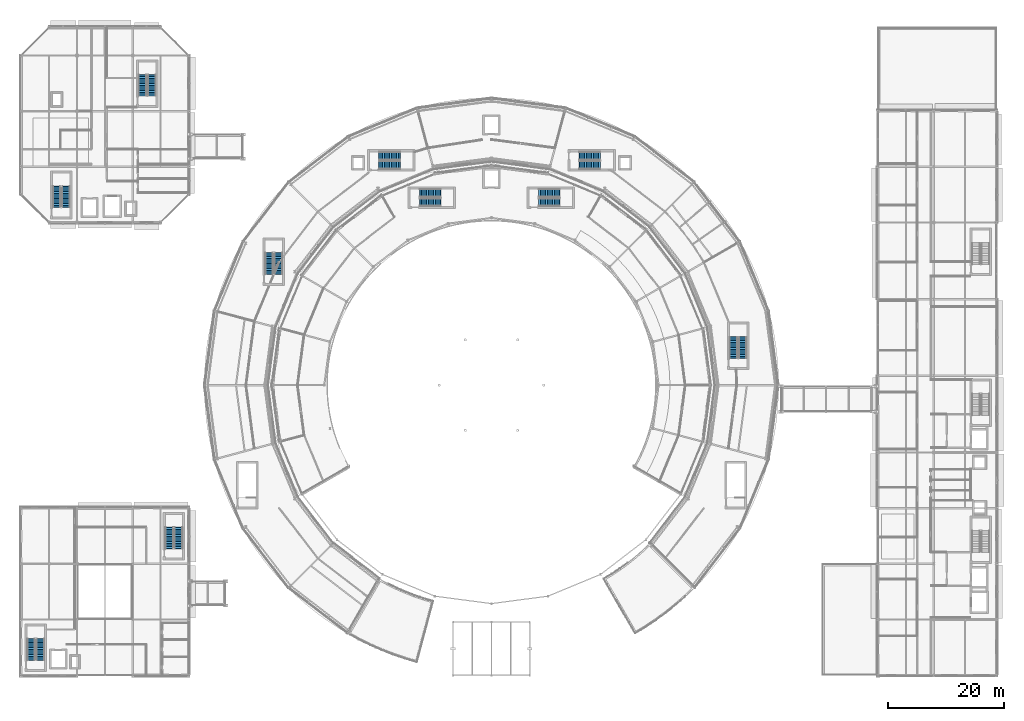
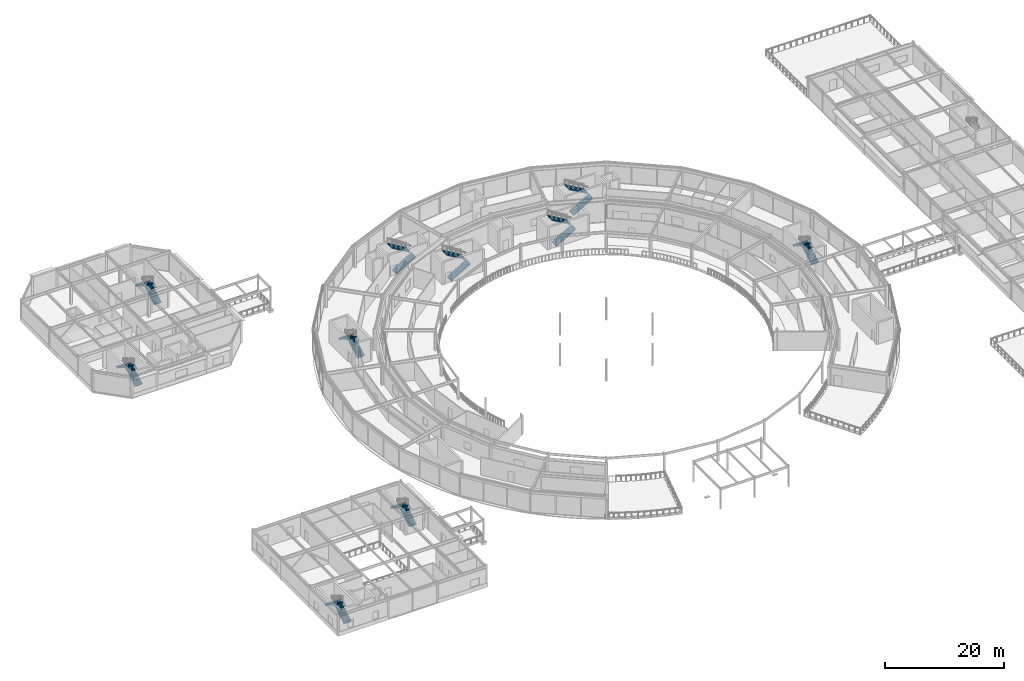
# One storey, part 128 of 157: 20 stair flights, 10 elements without a shape of their own.
"""IFC4 building model written with IfcOpenShell, lengths in metres."""

import ifcopenshell
import ifcopenshell.guid

model = None  # the IFC model being written
_history = None  # IfcOwnerHistory: only IFC2X3 demands one
_inside = {}  # id of a spatial element -> (the spatial element, [elements in it])
_under = {}  # id of a project, library or spatial element -> (it, [spatial elements below it])
_declared = {}  # id of a project -> (the project, [libraries it declares])
_typed = {}  # id of a type object -> (the type object, [elements of that type])
_made_of = {}  # id of a material, layer set ... -> (it, [elements and type objects made of it])


def new_model(schema):
    """Start an empty IFC model of exactly this schema.

    Asked for "IFC4X3", IfcOpenShell would pick the latest addendum, in which some entities
    have other attributes; the version numbers below select the first issue.
    IFC2X3 requires an IfcOwnerHistory on every rooted entity: one is made here for all.
    """
    global model, _history
    if schema == "IFC4X3":
        model = ifcopenshell.file(schema_version=(4, 3, 0, 0))
    else:
        model = ifcopenshell.file(schema=schema)
    _inside.clear()
    _under.clear()
    _declared.clear()
    _typed.clear()
    _made_of.clear()
    _history = None
    if model.schema == "IFC2X3":
        org = make("IfcOrganization", Name="unknown")
        user = make(
            "IfcPersonAndOrganization",
            ThePerson=make("IfcPerson", FamilyName="unknown"),
            TheOrganization=org,
        )
        app = make(
            "IfcApplication",
            ApplicationDeveloper=org,
            Version="unknown",
            ApplicationFullName="unknown",
            ApplicationIdentifier="unknown",
        )
        _history = make(
            "IfcOwnerHistory",
            OwningUser=user,
            OwningApplication=app,
            ChangeAction="ADDED",
            CreationDate=0,
        )
    return model


def make(cls, **values):
    """One entity of the class cls with the attributes given. An attribute that is None is left unset."""
    return model.create_entity(
        cls, **{name: value for name, value in values.items() if value is not None}
    )


def rooted(cls, **values):
    """An entity with a GlobalId (a new one), such as an element, a storey or a relation."""
    return make(cls, GlobalId=ifcopenshell.guid.new(), OwnerHistory=_history, **values)


def si_unit(unit_type, name, prefix=None):
    """IfcSIUnit, for example si_unit("LENGTHUNIT", "METRE", prefix="MILLI")."""
    return make("IfcSIUnit", UnitType=unit_type, Prefix=prefix, Name=name)


def assignment(units):
    """IfcUnitAssignment: the units of a project."""
    return None if units is None else make("IfcUnitAssignment", Units=units)


def point(xyz):
    """IfcCartesianPoint."""
    return None if xyz is None else make("IfcCartesianPoint", Coordinates=xyz)


def direction(xyz):
    """IfcDirection."""
    return None if xyz is None else make("IfcDirection", DirectionRatios=xyz)


def frame(location, z_axis=None, x_axis=None):
    """IfcAxis2Placement3D, a coordinate frame: its origin and axes. An axis left out is left unset."""
    return make(
        "IfcAxis2Placement3D",
        Location=point(location),
        Axis=direction(z_axis),
        RefDirection=direction(x_axis),
    )


def origin():
    """The frame at (0, 0, 0) with its axes left unset."""
    return frame((0.0, 0.0, 0.0))


def place(relative_to, where):
    """IfcLocalPlacement: puts the frame where relative to a parent placement (None: the world)."""
    return make(
        "IfcLocalPlacement", PlacementRelTo=relative_to, RelativePlacement=where
    )


def context(
    kind, dimensions, precision=None, world=None, true_north=None, identifier=None
):
    """IfcGeometricRepresentationContext, for example the 3D "Model" context."""
    return make(
        "IfcGeometricRepresentationContext",
        ContextIdentifier=identifier,
        ContextType=kind,
        CoordinateSpaceDimension=dimensions,
        Precision=precision,
        WorldCoordinateSystem=world,
        TrueNorth=true_north,
    )


def subcontext(parent, identifier, kind, view, scale=None):
    """IfcGeometricRepresentationSubContext, for example "Body" below "Model"."""
    return make(
        "IfcGeometricRepresentationSubContext",
        ContextIdentifier=identifier,
        ContextType=kind,
        ParentContext=parent,
        TargetScale=scale,
        TargetView=view,
    )


def project(units=None, contexts=None):
    """IfcProject with its units and contexts."""
    return rooted(
        "IfcProject",
        Name="project",
        RepresentationContexts=contexts,
        UnitsInContext=assignment(units),
    )


def spatial(cls, under=None, at=None, **own):
    """A site, building, storey or space (cls), placed at a placement, below another one or the project."""
    s = rooted(cls, ObjectPlacement=at, **own)
    if under is not None:
        _under.setdefault(under.id(), (under, []))[1].append(s)
    return s


def polyline(points):
    """IfcPolyline through the points."""
    return make("IfcPolyline", Points=[point(p) for p in points])


def outline(outer, holes=None, kind="AREA"):
    """IfcArbitraryClosedProfileDef: a profile drawn as a closed curve; with holes, ...WithVoids."""
    if holes is None:
        return make("IfcArbitraryClosedProfileDef", ProfileType=kind, OuterCurve=outer)
    return make(
        "IfcArbitraryProfileDefWithVoids",
        ProfileType=kind,
        OuterCurve=outer,
        InnerCurves=holes,
    )


def extrude(swept, where, along, depth):
    """IfcExtrudedAreaSolid: the profile swept, set in the frame where, extruded along a direction by depth."""
    return make(
        "IfcExtrudedAreaSolid",
        SweptArea=swept,
        Position=where,
        ExtrudedDirection=direction(along),
        Depth=depth,
    )


def shape(context_of_items, identifier, shape_type, items):
    """IfcShapeRepresentation: the items that make up one representation, for example the "Body"."""
    return make(
        "IfcShapeRepresentation",
        ContextOfItems=context_of_items,
        RepresentationIdentifier=identifier,
        RepresentationType=shape_type,
        Items=items,
    )


def material(Name=None, Category=None):
    """IfcMaterial."""
    return make("IfcMaterial", Name=Name, Category=Category)


def made_of(thing, what):
    """Note that an element or type object is made of a material, layer set ...; save() writes the relation."""
    if what is not None:
        _made_of.setdefault(what.id(), (what, []))[1].append(thing)
    return thing


def type_object(cls, material=None, **own):
    """A type object (cls), such as IfcWallType, which elements share."""
    return made_of(rooted(cls, **own), material)


def element(
    cls,
    number,
    at=None,
    inside=None,
    cuts=None,
    type_object=None,
    material=None,
    context=None,
    identifier="Body",
    shape_type=None,
    held_by="IfcProductDefinitionShape",
    body=None,
    shapes=None,
    **own,
):
    """One element of the class cls, such as IfcWall. Its Tag is "e" and its number.

    at: its placement. inside: the storey or other place that contains it. cuts: it is an
    opening in that element (IfcRelVoidsElement). A single representation is given by context,
    identifier, shape_type and body (its items); several are given by shapes. held_by: the class
    of the entity that holds the representations. save() writes the other relations.
    """
    e = rooted(cls, Tag="e%d" % number, ObjectPlacement=at, **own)
    if body is not None:
        shapes = [shape(context, identifier, shape_type, body)]
    if shapes is not None:
        e.Representation = make(held_by, Representations=shapes)
    if inside is not None:
        _inside.setdefault(inside.id(), (inside, []))[1].append(e)
    if cuts is not None:
        rooted(
            "IfcRelVoidsElement", RelatingBuildingElement=cuts, RelatedOpeningElement=e
        )
    if type_object is not None:
        _typed.setdefault(type_object.id(), (type_object, []))[1].append(e)
    return made_of(e, material)


def aggregate(whole, parts):
    """IfcRelAggregates: a whole, such as a stair, and the parts it consists of."""
    return rooted("IfcRelAggregates", RelatingObject=whole, RelatedObjects=parts)


def save(model, path):
    """Write the relations noted so far, then the file.

    IfcRelAggregates (storeys below a building ...), IfcRelContainedInSpatialStructure (elements
    in a storey), IfcRelDefinesByType, IfcRelAssociatesMaterial and IfcRelDeclares: one each for
    every whole, place, type object, material and project.
    """
    for whole, parts in _under.values():
        aggregate(whole, parts)
    for where, things in _inside.values():
        rooted(
            "IfcRelContainedInSpatialStructure",
            RelatedElements=things,
            RelatingStructure=where,
        )
    for kind, things in _typed.values():
        rooted("IfcRelDefinesByType", RelatedObjects=things, RelatingType=kind)
    for what, things in _made_of.values():
        rooted("IfcRelAssociatesMaterial", RelatedObjects=things, RelatingMaterial=what)
    for by, libraries in _declared.values():
        rooted("IfcRelDeclares", RelatingContext=by, RelatedDefinitions=libraries)
    model.write(path)


model = new_model("IFC4")

# Units and contexts
model_context = context("Model", 3, precision=1e-05, world=origin(), true_north=direction((0.0, 1.0)))
body_context = subcontext(model_context, "Body", "Model", "MODEL_VIEW")
ifc_project = project(units=[si_unit("LENGTHUNIT", "METRE"), si_unit("AREAUNIT", "SQUARE_METRE"), si_unit("VOLUMEUNIT", "CUBIC_METRE"), si_unit("PLANEANGLEUNIT", "RADIAN"), si_unit("MASSUNIT", "GRAM", prefix="KILO")], contexts=[model_context])

# Site, building, storey
site_placement = place(None, origin())
site = spatial("IfcSite", under=ifc_project, at=site_placement, CompositionType="ELEMENT")
building_placement = place(site_placement, origin())
building = spatial("IfcBuilding", under=site, at=building_placement, Name="Almandine Court Research Institute", CompositionType="ELEMENT")
storey_placement = place(building_placement, frame((0.0, 0.0, 5.25)))
storey = spatial("IfcBuildingStorey", under=building, at=storey_placement, Name="L01", CompositionType="ELEMENT", Elevation=5.25)

# Stair, stair flights
ifc_material = material(Name="Concrete C35/45", Category="concrete")
stair_type = type_object("IfcStairType", Name="Stair-Core-26R", PredefinedType="HALF_TURN_STAIR", material=ifc_material)
stair_1_placement = place(storey_placement, origin())
stair_1 = element("IfcStair", 1, at=stair_1_placement, inside=storey, type_object=stair_type, Name="L01 Volume 1 Southwest Exit Stair", PredefinedType="HALF_TURN_STAIR")
stair_flight_type = type_object("IfcStairFlightType", Name="Flight-Core-26R", PredefinedType="STRAIGHT", material=ifc_material)
stair_flight_1_placement = place(storey_placement, frame((9.2900390625, 8.64990234375, 0.0), z_axis=(0.0, 0.0, 1.0), x_axis=(0.0, 1.0, 0.0)))
stair_flight_1 = element("IfcStairFlight", 2, at=stair_flight_1_placement, type_object=stair_flight_type, Name="ST-01 flight 1", NumberOfRisers=13, NumberOfTreads=12, PredefinedType="STRAIGHT", RiserHeight=0.175, TreadLength=0.3, context=body_context, shape_type="SweptSolid", body=[
    extrude(outline(polyline([(-0.080078125, -0.139892578125), (-0.080078125, 0.0), (0.0, 0.0), (0.0, 0.175048828125), (0.300048828125, 0.175048828125), (0.300048828125, 0.35009765625), (0.60009765625, 0.35009765625), (0.60009765625, 0.52490234375), (0.89990234375, 0.52490234375), (0.89990234375, 0.699951171875), (1.199951171875, 0.699951171875), (1.199951171875, 0.875), (1.5, 0.875), (1.5, 1.050048828125), (1.800048828125, 1.050048828125), (1.800048828125, 1.22509765625), (2.10009765625, 1.22509765625), (2.10009765625, 1.39990234375), (2.39990234375, 1.39990234375), (2.39990234375, 1.574951171875), (2.699951171875, 1.574951171875), (2.699951171875, 1.75), (3.0, 1.75), (3.0, 1.925048828125), (3.300048828125, 1.925048828125), (3.300048828125, 2.10009765625), (3.60009765625, 2.10009765625), (3.60009765625, 2.27490234375), (3.679931640625, 2.27490234375), (3.679931640625, 2.114990234375), (3.60009765625, 1.914794921875), (0.3173828125, 0.0), (0.3173828125, -0.139892578125), (-0.080078125, -0.139892578125)])), frame((0.0, 0.7099609375, 0.0), z_axis=(0.0, -1.0, 0.0), x_axis=(1.0, 0.0, 0.0)), (0.0, 0.0, 1.0), 1.419921875),
])
stair_flight_2_placement = place(storey_placement, frame((7.7099609375, 12.25, 2.27490234375), z_axis=(0.0, 0.0, 1.0), x_axis=(0.0, -1.0, 0.0)))
stair_flight_2 = element("IfcStairFlight", 3, at=stair_flight_2_placement, type_object=stair_flight_type, Name="ST-01 flight 2", NumberOfRisers=13, NumberOfTreads=12, PredefinedType="STRAIGHT", RiserHeight=0.175, TreadLength=0.3, context=body_context, shape_type="SweptSolid", body=[
    extrude(outline(polyline([(-0.080078125, -0.139892578125), (-0.080078125, 0.0), (0.0, 0.0), (0.0, 0.175048828125), (0.300048828125, 0.175048828125), (0.300048828125, 0.35009765625), (0.60009765625, 0.35009765625), (0.60009765625, 0.52490234375), (0.89990234375, 0.52490234375), (0.89990234375, 0.699951171875), (1.199951171875, 0.699951171875), (1.199951171875, 0.875), (1.5, 0.875), (1.5, 1.050048828125), (1.800048828125, 1.050048828125), (1.800048828125, 1.22509765625), (2.10009765625, 1.22509765625), (2.10009765625, 1.39990234375), (2.39990234375, 1.39990234375), (2.39990234375, 1.574951171875), (2.699951171875, 1.574951171875), (2.699951171875, 1.75), (3.0, 1.75), (3.0, 1.925048828125), (3.300048828125, 1.925048828125), (3.300048828125, 2.10009765625), (3.60009765625, 2.10009765625), (3.60009765625, 2.27490234375), (3.679931640625, 2.27490234375), (3.679931640625, 2.114990234375), (3.60009765625, 1.914794921875), (0.3173828125, 0.0), (0.3173828125, -0.139892578125), (-0.080078125, -0.139892578125)])), frame((0.0, 0.7099609375, 0.0), z_axis=(0.0, -1.0, 0.0), x_axis=(1.0, 0.0, 0.0)), (0.0, 0.0, 1.0), 1.419921875),
])
aggregate(stair_1, [stair_flight_1, stair_flight_2])

stair_2_placement = place(storey_placement, origin())
stair_2 = element("IfcStair", 4, at=stair_2_placement, inside=storey, type_object=stair_type, Name="L01 Volume 1 Northeast Exit Stair", PredefinedType="HALF_TURN_STAIR")
stair_flight_3_placement = place(storey_placement, frame((33.090087890625, 27.85009765625, 0.0), z_axis=(0.0, 0.0, 1.0), x_axis=(0.0, 1.0, 0.0)))
stair_flight_3 = element("IfcStairFlight", 5, at=stair_flight_3_placement, type_object=stair_flight_type, Name="ST-02 flight 1", NumberOfRisers=13, NumberOfTreads=12, PredefinedType="STRAIGHT", RiserHeight=0.175, TreadLength=0.3, context=body_context, shape_type="SweptSolid", body=[
    extrude(outline(polyline([(-0.080078125, -0.139892578125), (-0.080078125, 0.0), (0.0, 0.0), (0.0, 0.175048828125), (0.300048828125, 0.175048828125), (0.300048828125, 0.35009765625), (0.60009765625, 0.35009765625), (0.60009765625, 0.52490234375), (0.89990234375, 0.52490234375), (0.89990234375, 0.699951171875), (1.199951171875, 0.699951171875), (1.199951171875, 0.875), (1.5, 0.875), (1.5, 1.050048828125), (1.800048828125, 1.050048828125), (1.800048828125, 1.22509765625), (2.10009765625, 1.22509765625), (2.10009765625, 1.39990234375), (2.39990234375, 1.39990234375), (2.39990234375, 1.574951171875), (2.699951171875, 1.574951171875), (2.699951171875, 1.75), (3.0, 1.75), (3.0, 1.925048828125), (3.300048828125, 1.925048828125), (3.300048828125, 2.10009765625), (3.60009765625, 2.10009765625), (3.60009765625, 2.27490234375), (3.679931640625, 2.27490234375), (3.679931640625, 2.114990234375), (3.60009765625, 1.914794921875), (0.3173828125, 0.0), (0.3173828125, -0.139892578125), (-0.080078125, -0.139892578125)])), frame((0.0, 0.7099609375, 0.0), z_axis=(0.0, -1.0, 0.0), x_axis=(1.0, 0.0, 0.0)), (0.0, 0.0, 1.0), 1.419921875),
])
stair_flight_4_placement = place(storey_placement, frame((31.510009765625, 31.449951171875, 2.27490234375), z_axis=(0.0, 0.0, 1.0), x_axis=(0.0, -1.0, 0.0)))
stair_flight_4 = element("IfcStairFlight", 6, at=stair_flight_4_placement, type_object=stair_flight_type, Name="ST-02 flight 2", NumberOfRisers=13, NumberOfTreads=12, PredefinedType="STRAIGHT", RiserHeight=0.175, TreadLength=0.3, context=body_context, shape_type="SweptSolid", body=[
    extrude(outline(polyline([(-0.080078125, -0.139892578125), (-0.080078125, 0.0), (0.0, 0.0), (0.0, 0.175048828125), (0.300048828125, 0.175048828125), (0.300048828125, 0.35009765625), (0.60009765625, 0.35009765625), (0.60009765625, 0.52490234375), (0.89990234375, 0.52490234375), (0.89990234375, 0.699951171875), (1.199951171875, 0.699951171875), (1.199951171875, 0.875), (1.5, 0.875), (1.5, 1.050048828125), (1.800048828125, 1.050048828125), (1.800048828125, 1.22509765625), (2.10009765625, 1.22509765625), (2.10009765625, 1.39990234375), (2.39990234375, 1.39990234375), (2.39990234375, 1.574951171875), (2.699951171875, 1.574951171875), (2.699951171875, 1.75), (3.0, 1.75), (3.0, 1.925048828125), (3.300048828125, 1.925048828125), (3.300048828125, 2.10009765625), (3.60009765625, 2.10009765625), (3.60009765625, 2.27490234375), (3.679931640625, 2.27490234375), (3.679931640625, 2.114990234375), (3.60009765625, 1.914794921875), (0.3173828125, 0.0), (0.3173828125, -0.139892578125), (-0.080078125, -0.139892578125)])), frame((0.0, 0.7099609375, 0.0), z_axis=(0.0, -1.0, 0.0), x_axis=(1.0, 0.0, 0.0)), (0.0, 0.0, 1.0), 1.419921875),
])
aggregate(stair_2, [stair_flight_3, stair_flight_4])

stair_3_placement = place(storey_placement, origin())
stair_3 = element("IfcStair", 7, at=stair_3_placement, inside=storey, type_object=stair_type, Name="L01 Atrium Northeast Exit Stair", PredefinedType="HALF_TURN_STAIR")
stair_flight_5_placement = place(storey_placement, frame((95.14990234375, 87.510009765625, 0.0), z_axis=(0.0, 0.0, 1.0), x_axis=(1.0, 0.0, 0.0)))
stair_flight_5 = element("IfcStairFlight", 8, at=stair_flight_5_placement, type_object=stair_flight_type, Name="ST-03 flight 1", NumberOfRisers=13, NumberOfTreads=12, PredefinedType="STRAIGHT", RiserHeight=0.175, TreadLength=0.3, context=body_context, shape_type="SweptSolid", body=[
    extrude(outline(polyline([(-0.080078125, -0.139892578125), (-0.080078125, 0.0), (0.0, 0.0), (0.0, 0.175048828125), (0.300048828125, 0.175048828125), (0.300048828125, 0.35009765625), (0.60009765625, 0.35009765625), (0.60009765625, 0.52490234375), (0.89990234375, 0.52490234375), (0.89990234375, 0.699951171875), (1.199951171875, 0.699951171875), (1.199951171875, 0.875), (1.5, 0.875), (1.5, 1.050048828125), (1.800048828125, 1.050048828125), (1.800048828125, 1.22509765625), (2.10009765625, 1.22509765625), (2.10009765625, 1.39990234375), (2.39990234375, 1.39990234375), (2.39990234375, 1.574951171875), (2.699951171875, 1.574951171875), (2.699951171875, 1.75), (3.0, 1.75), (3.0, 1.925048828125), (3.300048828125, 1.925048828125), (3.300048828125, 2.10009765625), (3.60009765625, 2.10009765625), (3.60009765625, 2.27490234375), (3.679931640625, 2.27490234375), (3.679931640625, 2.114990234375), (3.60009765625, 1.914794921875), (0.3173828125, 0.0), (0.3173828125, -0.139892578125), (-0.080078125, -0.139892578125)])), frame((0.0, 0.7099609375, 0.0), z_axis=(0.0, -1.0, 0.0), x_axis=(1.0, 0.0, 0.0)), (0.0, 0.0, 1.0), 1.419921875),
])
stair_flight_6_placement = place(storey_placement, frame((98.75, 89.090087890625, 2.27490234375), z_axis=(0.0, 0.0, 1.0), x_axis=(-1.0, 0.0, 0.0)))
stair_flight_6 = element("IfcStairFlight", 9, at=stair_flight_6_placement, type_object=stair_flight_type, Name="ST-03 flight 2", NumberOfRisers=13, NumberOfTreads=12, PredefinedType="STRAIGHT", RiserHeight=0.175, TreadLength=0.3, context=body_context, shape_type="SweptSolid", body=[
    extrude(outline(polyline([(-0.080078125, -0.139892578125), (-0.080078125, 0.0), (0.0, 0.0), (0.0, 0.175048828125), (0.300048828125, 0.175048828125), (0.300048828125, 0.35009765625), (0.60009765625, 0.35009765625), (0.60009765625, 0.52490234375), (0.89990234375, 0.52490234375), (0.89990234375, 0.699951171875), (1.199951171875, 0.699951171875), (1.199951171875, 0.875), (1.5, 0.875), (1.5, 1.050048828125), (1.800048828125, 1.050048828125), (1.800048828125, 1.22509765625), (2.10009765625, 1.22509765625), (2.10009765625, 1.39990234375), (2.39990234375, 1.39990234375), (2.39990234375, 1.574951171875), (2.699951171875, 1.574951171875), (2.699951171875, 1.75), (3.0, 1.75), (3.0, 1.925048828125), (3.300048828125, 1.925048828125), (3.300048828125, 2.10009765625), (3.60009765625, 2.10009765625), (3.60009765625, 2.27490234375), (3.679931640625, 2.27490234375), (3.679931640625, 2.114990234375), (3.60009765625, 1.914794921875), (0.3173828125, 0.0), (0.3173828125, -0.139892578125), (-0.080078125, -0.139892578125)])), frame((0.0, 0.7099609375, 0.0), z_axis=(0.0, -1.0, 0.0), x_axis=(1.0, 0.0, 0.0)), (0.0, 0.0, 1.0), 1.419921875),
])
aggregate(stair_3, [stair_flight_5, stair_flight_6])

stair_4_placement = place(storey_placement, origin())
stair_4 = element("IfcStair", 10, at=stair_4_placement, inside=storey, type_object=stair_type, Name="L01 Atrium Northwest Exit Stair", PredefinedType="HALF_TURN_STAIR")
stair_flight_7_placement = place(storey_placement, frame((74.64990234375, 87.510009765625, 0.0), z_axis=(0.0, 0.0, 1.0), x_axis=(1.0, 0.0, 0.0)))
stair_flight_7 = element("IfcStairFlight", 11, at=stair_flight_7_placement, type_object=stair_flight_type, Name="ST-04 flight 1", NumberOfRisers=13, NumberOfTreads=12, PredefinedType="STRAIGHT", RiserHeight=0.175, TreadLength=0.3, context=body_context, shape_type="SweptSolid", body=[
    extrude(outline(polyline([(-0.080078125, -0.139892578125), (-0.080078125, 0.0), (0.0, 0.0), (0.0, 0.175048828125), (0.300048828125, 0.175048828125), (0.300048828125, 0.35009765625), (0.60009765625, 0.35009765625), (0.60009765625, 0.52490234375), (0.89990234375, 0.52490234375), (0.89990234375, 0.699951171875), (1.199951171875, 0.699951171875), (1.199951171875, 0.875), (1.5, 0.875), (1.5, 1.050048828125), (1.800048828125, 1.050048828125), (1.800048828125, 1.22509765625), (2.10009765625, 1.22509765625), (2.10009765625, 1.39990234375), (2.39990234375, 1.39990234375), (2.39990234375, 1.574951171875), (2.699951171875, 1.574951171875), (2.699951171875, 1.75), (3.0, 1.75), (3.0, 1.925048828125), (3.300048828125, 1.925048828125), (3.300048828125, 2.10009765625), (3.60009765625, 2.10009765625), (3.60009765625, 2.27490234375), (3.679931640625, 2.27490234375), (3.679931640625, 2.114990234375), (3.60009765625, 1.914794921875), (0.3173828125, 0.0), (0.3173828125, -0.139892578125), (-0.080078125, -0.139892578125)])), frame((0.0, 0.7099609375, 0.0), z_axis=(0.0, -1.0, 0.0), x_axis=(1.0, 0.0, 0.0)), (0.0, 0.0, 1.0), 1.419921875),
])
stair_flight_8_placement = place(storey_placement, frame((78.25, 89.090087890625, 2.27490234375), z_axis=(0.0, 0.0, 1.0), x_axis=(-1.0, 0.0, 0.0)))
stair_flight_8 = element("IfcStairFlight", 12, at=stair_flight_8_placement, type_object=stair_flight_type, Name="ST-04 flight 2", NumberOfRisers=13, NumberOfTreads=12, PredefinedType="STRAIGHT", RiserHeight=0.175, TreadLength=0.3, context=body_context, shape_type="SweptSolid", body=[
    extrude(outline(polyline([(-0.080078125, -0.139892578125), (-0.080078125, 0.0), (0.0, 0.0), (0.0, 0.175048828125), (0.300048828125, 0.175048828125), (0.300048828125, 0.35009765625), (0.60009765625, 0.35009765625), (0.60009765625, 0.52490234375), (0.89990234375, 0.52490234375), (0.89990234375, 0.699951171875), (1.199951171875, 0.699951171875), (1.199951171875, 0.875), (1.5, 0.875), (1.5, 1.050048828125), (1.800048828125, 1.050048828125), (1.800048828125, 1.22509765625), (2.10009765625, 1.22509765625), (2.10009765625, 1.39990234375), (2.39990234375, 1.39990234375), (2.39990234375, 1.574951171875), (2.699951171875, 1.574951171875), (2.699951171875, 1.75), (3.0, 1.75), (3.0, 1.925048828125), (3.300048828125, 1.925048828125), (3.300048828125, 2.10009765625), (3.60009765625, 2.10009765625), (3.60009765625, 2.27490234375), (3.679931640625, 2.27490234375), (3.679931640625, 2.114990234375), (3.60009765625, 1.914794921875), (0.3173828125, 0.0), (0.3173828125, -0.139892578125), (-0.080078125, -0.139892578125)])), frame((0.0, 0.7099609375, 0.0), z_axis=(0.0, -1.0, 0.0), x_axis=(1.0, 0.0, 0.0)), (0.0, 0.0, 1.0), 1.419921875),
])
aggregate(stair_4, [stair_flight_7, stair_flight_8])

stair_5_placement = place(storey_placement, origin())
stair_5 = element("IfcStair", 13, at=stair_5_placement, inside=storey, type_object=stair_type, Name="L01 Cleanroom Pavilion South Exit Stair", PredefinedType="HALF_TURN_STAIR")
stair_flight_9_placement = place(storey_placement, frame((13.68994140625, 86.64990234375, 0.0), z_axis=(0.0, 0.0, 1.0), x_axis=(0.0, 1.0, 0.0)))
stair_flight_9 = element("IfcStairFlight", 14, at=stair_flight_9_placement, type_object=stair_flight_type, Name="ST-05 flight 1", NumberOfRisers=13, NumberOfTreads=12, PredefinedType="STRAIGHT", RiserHeight=0.175, TreadLength=0.3, context=body_context, shape_type="SweptSolid", body=[
    extrude(outline(polyline([(-0.080078125, -0.139892578125), (-0.080078125, 0.0), (0.0, 0.0), (0.0, 0.175048828125), (0.300048828125, 0.175048828125), (0.300048828125, 0.35009765625), (0.60009765625, 0.35009765625), (0.60009765625, 0.52490234375), (0.89990234375, 0.52490234375), (0.89990234375, 0.699951171875), (1.199951171875, 0.699951171875), (1.199951171875, 0.875), (1.5, 0.875), (1.5, 1.050048828125), (1.800048828125, 1.050048828125), (1.800048828125, 1.22509765625), (2.10009765625, 1.22509765625), (2.10009765625, 1.39990234375), (2.39990234375, 1.39990234375), (2.39990234375, 1.574951171875), (2.699951171875, 1.574951171875), (2.699951171875, 1.75), (3.0, 1.75), (3.0, 1.925048828125), (3.300048828125, 1.925048828125), (3.300048828125, 2.10009765625), (3.60009765625, 2.10009765625), (3.60009765625, 2.27490234375), (3.679931640625, 2.27490234375), (3.679931640625, 2.114990234375), (3.60009765625, 1.914794921875), (0.3173828125, 0.0), (0.3173828125, -0.139892578125), (-0.080078125, -0.139892578125)])), frame((0.0, 0.7099609375, 0.0), z_axis=(0.0, -1.0, 0.0), x_axis=(1.0, 0.0, 0.0)), (0.0, 0.0, 1.0), 1.419921875),
])
stair_flight_10_placement = place(storey_placement, frame((12.110107421875, 90.25, 2.27490234375), z_axis=(0.0, 0.0, 1.0), x_axis=(0.0, -1.0, 0.0)))
stair_flight_10 = element("IfcStairFlight", 15, at=stair_flight_10_placement, type_object=stair_flight_type, Name="ST-05 flight 2", NumberOfRisers=13, NumberOfTreads=12, PredefinedType="STRAIGHT", RiserHeight=0.175, TreadLength=0.3, context=body_context, shape_type="SweptSolid", body=[
    extrude(outline(polyline([(-0.080078125, -0.139892578125), (-0.080078125, 0.0), (0.0, 0.0), (0.0, 0.175048828125), (0.300048828125, 0.175048828125), (0.300048828125, 0.35009765625), (0.60009765625, 0.35009765625), (0.60009765625, 0.52490234375), (0.89990234375, 0.52490234375), (0.89990234375, 0.699951171875), (1.199951171875, 0.699951171875), (1.199951171875, 0.875), (1.5, 0.875), (1.5, 1.050048828125), (1.800048828125, 1.050048828125), (1.800048828125, 1.22509765625), (2.10009765625, 1.22509765625), (2.10009765625, 1.39990234375), (2.39990234375, 1.39990234375), (2.39990234375, 1.574951171875), (2.699951171875, 1.574951171875), (2.699951171875, 1.75), (3.0, 1.75), (3.0, 1.925048828125), (3.300048828125, 1.925048828125), (3.300048828125, 2.10009765625), (3.60009765625, 2.10009765625), (3.60009765625, 2.27490234375), (3.679931640625, 2.27490234375), (3.679931640625, 2.114990234375), (3.60009765625, 1.914794921875), (0.3173828125, 0.0), (0.3173828125, -0.139892578125), (-0.080078125, -0.139892578125)])), frame((0.0, 0.7099609375, 0.0), z_axis=(0.0, -1.0, 0.0), x_axis=(1.0, 0.0, 0.0)), (0.0, 0.0, 1.0), 1.419921875),
])
aggregate(stair_5, [stair_flight_9, stair_flight_10])

stair_6_placement = place(storey_placement, origin())
stair_6 = element("IfcStair", 16, at=stair_6_placement, inside=storey, type_object=stair_type, Name="L01 Cleanroom Pavilion North Exit Stair", PredefinedType="HALF_TURN_STAIR")
stair_flight_11_placement = place(storey_placement, frame((28.489990234375, 105.85009765625, 0.0), z_axis=(0.0, 0.0, 1.0), x_axis=(0.0, 1.0, 0.0)))
stair_flight_11 = element("IfcStairFlight", 17, at=stair_flight_11_placement, type_object=stair_flight_type, Name="ST-06 flight 1", NumberOfRisers=13, NumberOfTreads=12, PredefinedType="STRAIGHT", RiserHeight=0.175, TreadLength=0.3, context=body_context, shape_type="SweptSolid", body=[
    extrude(outline(polyline([(-0.080078125, -0.139892578125), (-0.080078125, 0.0), (0.0, 0.0), (0.0, 0.175048828125), (0.300048828125, 0.175048828125), (0.300048828125, 0.35009765625), (0.60009765625, 0.35009765625), (0.60009765625, 0.52490234375), (0.89990234375, 0.52490234375), (0.89990234375, 0.699951171875), (1.199951171875, 0.699951171875), (1.199951171875, 0.875), (1.5, 0.875), (1.5, 1.050048828125), (1.800048828125, 1.050048828125), (1.800048828125, 1.22509765625), (2.10009765625, 1.22509765625), (2.10009765625, 1.39990234375), (2.39990234375, 1.39990234375), (2.39990234375, 1.574951171875), (2.699951171875, 1.574951171875), (2.699951171875, 1.75), (3.0, 1.75), (3.0, 1.925048828125), (3.300048828125, 1.925048828125), (3.300048828125, 2.10009765625), (3.60009765625, 2.10009765625), (3.60009765625, 2.27490234375), (3.679931640625, 2.27490234375), (3.679931640625, 2.114990234375), (3.60009765625, 1.914794921875), (0.3173828125, 0.0), (0.3173828125, -0.139892578125), (-0.080078125, -0.139892578125)])), frame((0.0, 0.7099609375, 0.0), z_axis=(0.0, -1.0, 0.0), x_axis=(1.0, 0.0, 0.0)), (0.0, 0.0, 1.0), 1.419921875),
])
stair_flight_12_placement = place(storey_placement, frame((26.909912109375, 109.449951171875, 2.27490234375), z_axis=(0.0, 0.0, 1.0), x_axis=(0.0, -1.0, 0.0)))
stair_flight_12 = element("IfcStairFlight", 18, at=stair_flight_12_placement, type_object=stair_flight_type, Name="ST-06 flight 2", NumberOfRisers=13, NumberOfTreads=12, PredefinedType="STRAIGHT", RiserHeight=0.175, TreadLength=0.3, context=body_context, shape_type="SweptSolid", body=[
    extrude(outline(polyline([(-0.080078125, -0.139892578125), (-0.080078125, 0.0), (0.0, 0.0), (0.0, 0.175048828125), (0.300048828125, 0.175048828125), (0.300048828125, 0.35009765625), (0.60009765625, 0.35009765625), (0.60009765625, 0.52490234375), (0.89990234375, 0.52490234375), (0.89990234375, 0.699951171875), (1.199951171875, 0.699951171875), (1.199951171875, 0.875), (1.5, 0.875), (1.5, 1.050048828125), (1.800048828125, 1.050048828125), (1.800048828125, 1.22509765625), (2.10009765625, 1.22509765625), (2.10009765625, 1.39990234375), (2.39990234375, 1.39990234375), (2.39990234375, 1.574951171875), (2.699951171875, 1.574951171875), (2.699951171875, 1.75), (3.0, 1.75), (3.0, 1.925048828125), (3.300048828125, 1.925048828125), (3.300048828125, 2.10009765625), (3.60009765625, 2.10009765625), (3.60009765625, 2.27490234375), (3.679931640625, 2.27490234375), (3.679931640625, 2.114990234375), (3.60009765625, 1.914794921875), (0.3173828125, 0.0), (0.3173828125, -0.139892578125), (-0.080078125, -0.139892578125)])), frame((0.0, 0.7099609375, 0.0), z_axis=(0.0, -1.0, 0.0), x_axis=(1.0, 0.0, 0.0)), (0.0, 0.0, 1.0), 1.419921875),
])
aggregate(stair_6, [stair_flight_11, stair_flight_12])

stair_7_placement = place(storey_placement, origin())
stair_7 = element("IfcStair", 19, at=stair_7_placement, inside=storey, type_object=stair_type, Name="L01 Drum Northeast Exit Stair", PredefinedType="HALF_TURN_STAIR")
stair_flight_13_placement = place(storey_placement, frame((102.14990234375, 93.909912109375, 0.0), z_axis=(0.0, 0.0, 1.0), x_axis=(1.0, 0.0, 0.0)))
stair_flight_13 = element("IfcStairFlight", 20, at=stair_flight_13_placement, type_object=stair_flight_type, Name="ST-09 flight 1", NumberOfRisers=13, NumberOfTreads=12, PredefinedType="STRAIGHT", RiserHeight=0.175, TreadLength=0.3, context=body_context, shape_type="SweptSolid", body=[
    extrude(outline(polyline([(-0.080078125, -0.139892578125), (-0.080078125, 0.0), (0.0, 0.0), (0.0, 0.175048828125), (0.300048828125, 0.175048828125), (0.300048828125, 0.35009765625), (0.60009765625, 0.35009765625), (0.60009765625, 0.52490234375), (0.89990234375, 0.52490234375), (0.89990234375, 0.699951171875), (1.199951171875, 0.699951171875), (1.199951171875, 0.875), (1.5, 0.875), (1.5, 1.050048828125), (1.800048828125, 1.050048828125), (1.800048828125, 1.22509765625), (2.10009765625, 1.22509765625), (2.10009765625, 1.39990234375), (2.39990234375, 1.39990234375), (2.39990234375, 1.574951171875), (2.699951171875, 1.574951171875), (2.699951171875, 1.75), (3.0, 1.75), (3.0, 1.925048828125), (3.300048828125, 1.925048828125), (3.300048828125, 2.10009765625), (3.60009765625, 2.10009765625), (3.60009765625, 2.27490234375), (3.679931640625, 2.27490234375), (3.679931640625, 2.114990234375), (3.60009765625, 1.914794921875), (0.3173828125, 0.0), (0.3173828125, -0.139892578125), (-0.080078125, -0.139892578125)])), frame((0.0, 0.7099609375, 0.0), z_axis=(0.0, -1.0, 0.0), x_axis=(1.0, 0.0, 0.0)), (0.0, 0.0, 1.0), 1.419921875),
])
stair_flight_14_placement = place(storey_placement, frame((105.75, 95.489990234375, 2.27490234375), z_axis=(0.0, 0.0, 1.0), x_axis=(-1.0, 0.0, 0.0)))
stair_flight_14 = element("IfcStairFlight", 21, at=stair_flight_14_placement, type_object=stair_flight_type, Name="ST-09 flight 2", NumberOfRisers=13, NumberOfTreads=12, PredefinedType="STRAIGHT", RiserHeight=0.175, TreadLength=0.3, context=body_context, shape_type="SweptSolid", body=[
    extrude(outline(polyline([(-0.080078125, -0.139892578125), (-0.080078125, 0.0), (0.0, 0.0), (0.0, 0.175048828125), (0.300048828125, 0.175048828125), (0.300048828125, 0.35009765625), (0.60009765625, 0.35009765625), (0.60009765625, 0.52490234375), (0.89990234375, 0.52490234375), (0.89990234375, 0.699951171875), (1.199951171875, 0.699951171875), (1.199951171875, 0.875), (1.5, 0.875), (1.5, 1.050048828125), (1.800048828125, 1.050048828125), (1.800048828125, 1.22509765625), (2.10009765625, 1.22509765625), (2.10009765625, 1.39990234375), (2.39990234375, 1.39990234375), (2.39990234375, 1.574951171875), (2.699951171875, 1.574951171875), (2.699951171875, 1.75), (3.0, 1.75), (3.0, 1.925048828125), (3.300048828125, 1.925048828125), (3.300048828125, 2.10009765625), (3.60009765625, 2.10009765625), (3.60009765625, 2.27490234375), (3.679931640625, 2.27490234375), (3.679931640625, 2.114990234375), (3.60009765625, 1.914794921875), (0.3173828125, 0.0), (0.3173828125, -0.139892578125), (-0.080078125, -0.139892578125)])), frame((0.0, 0.7099609375, 0.0), z_axis=(0.0, -1.0, 0.0), x_axis=(1.0, 0.0, 0.0)), (0.0, 0.0, 1.0), 1.419921875),
])
aggregate(stair_7, [stair_flight_13, stair_flight_14])

stair_8_placement = place(storey_placement, origin())
stair_8 = element("IfcStair", 22, at=stair_8_placement, inside=storey, type_object=stair_type, Name="L01 Drum Northwest Exit Stair", PredefinedType="HALF_TURN_STAIR")
stair_flight_15_placement = place(storey_placement, frame((67.64990234375, 93.909912109375, 0.0), z_axis=(0.0, 0.0, 1.0), x_axis=(1.0, 0.0, 0.0)))
stair_flight_15 = element("IfcStairFlight", 23, at=stair_flight_15_placement, type_object=stair_flight_type, Name="ST-10 flight 1", NumberOfRisers=13, NumberOfTreads=12, PredefinedType="STRAIGHT", RiserHeight=0.175, TreadLength=0.3, context=body_context, shape_type="SweptSolid", body=[
    extrude(outline(polyline([(-0.080078125, -0.139892578125), (-0.080078125, 0.0), (0.0, 0.0), (0.0, 0.175048828125), (0.300048828125, 0.175048828125), (0.300048828125, 0.35009765625), (0.60009765625, 0.35009765625), (0.60009765625, 0.52490234375), (0.89990234375, 0.52490234375), (0.89990234375, 0.699951171875), (1.199951171875, 0.699951171875), (1.199951171875, 0.875), (1.5, 0.875), (1.5, 1.050048828125), (1.800048828125, 1.050048828125), (1.800048828125, 1.22509765625), (2.10009765625, 1.22509765625), (2.10009765625, 1.39990234375), (2.39990234375, 1.39990234375), (2.39990234375, 1.574951171875), (2.699951171875, 1.574951171875), (2.699951171875, 1.75), (3.0, 1.75), (3.0, 1.925048828125), (3.300048828125, 1.925048828125), (3.300048828125, 2.10009765625), (3.60009765625, 2.10009765625), (3.60009765625, 2.27490234375), (3.679931640625, 2.27490234375), (3.679931640625, 2.114990234375), (3.60009765625, 1.914794921875), (0.3173828125, 0.0), (0.3173828125, -0.139892578125), (-0.080078125, -0.139892578125)])), frame((0.0, 0.7099609375, 0.0), z_axis=(0.0, -1.0, 0.0), x_axis=(1.0, 0.0, 0.0)), (0.0, 0.0, 1.0), 1.419921875),
])
stair_flight_16_placement = place(storey_placement, frame((71.25, 95.489990234375, 2.27490234375), z_axis=(0.0, 0.0, 1.0), x_axis=(-1.0, 0.0, 0.0)))
stair_flight_16 = element("IfcStairFlight", 24, at=stair_flight_16_placement, type_object=stair_flight_type, Name="ST-10 flight 2", NumberOfRisers=13, NumberOfTreads=12, PredefinedType="STRAIGHT", RiserHeight=0.175, TreadLength=0.3, context=body_context, shape_type="SweptSolid", body=[
    extrude(outline(polyline([(-0.080078125, -0.139892578125), (-0.080078125, 0.0), (0.0, 0.0), (0.0, 0.175048828125), (0.300048828125, 0.175048828125), (0.300048828125, 0.35009765625), (0.60009765625, 0.35009765625), (0.60009765625, 0.52490234375), (0.89990234375, 0.52490234375), (0.89990234375, 0.699951171875), (1.199951171875, 0.699951171875), (1.199951171875, 0.875), (1.5, 0.875), (1.5, 1.050048828125), (1.800048828125, 1.050048828125), (1.800048828125, 1.22509765625), (2.10009765625, 1.22509765625), (2.10009765625, 1.39990234375), (2.39990234375, 1.39990234375), (2.39990234375, 1.574951171875), (2.699951171875, 1.574951171875), (2.699951171875, 1.75), (3.0, 1.75), (3.0, 1.925048828125), (3.300048828125, 1.925048828125), (3.300048828125, 2.10009765625), (3.60009765625, 2.10009765625), (3.60009765625, 2.27490234375), (3.679931640625, 2.27490234375), (3.679931640625, 2.114990234375), (3.60009765625, 1.914794921875), (0.3173828125, 0.0), (0.3173828125, -0.139892578125), (-0.080078125, -0.139892578125)])), frame((0.0, 0.7099609375, 0.0), z_axis=(0.0, -1.0, 0.0), x_axis=(1.0, 0.0, 0.0)), (0.0, 0.0, 1.0), 1.419921875),
])
aggregate(stair_8, [stair_flight_15, stair_flight_16])

stair_9_placement = place(storey_placement, origin())
stair_9 = element("IfcStair", 25, at=stair_9_placement, inside=storey, type_object=stair_type, Name="L01 Drum East Exit Stair", PredefinedType="HALF_TURN_STAIR")
stair_flight_17_placement = place(storey_placement, frame((130.2900390625, 60.64990234375, 0.0), z_axis=(0.0, 0.0, 1.0), x_axis=(0.0, 1.0, 0.0)))
stair_flight_17 = element("IfcStairFlight", 26, at=stair_flight_17_placement, type_object=stair_flight_type, Name="ST-14 flight 1", NumberOfRisers=13, NumberOfTreads=12, PredefinedType="STRAIGHT", RiserHeight=0.175, TreadLength=0.3, context=body_context, shape_type="SweptSolid", body=[
    extrude(outline(polyline([(-0.080078125, -0.139892578125), (-0.080078125, 0.0), (0.0, 0.0), (0.0, 0.175048828125), (0.300048828125, 0.175048828125), (0.300048828125, 0.35009765625), (0.60009765625, 0.35009765625), (0.60009765625, 0.52490234375), (0.89990234375, 0.52490234375), (0.89990234375, 0.699951171875), (1.199951171875, 0.699951171875), (1.199951171875, 0.875), (1.5, 0.875), (1.5, 1.050048828125), (1.800048828125, 1.050048828125), (1.800048828125, 1.22509765625), (2.10009765625, 1.22509765625), (2.10009765625, 1.39990234375), (2.39990234375, 1.39990234375), (2.39990234375, 1.574951171875), (2.699951171875, 1.574951171875), (2.699951171875, 1.75), (3.0, 1.75), (3.0, 1.925048828125), (3.300048828125, 1.925048828125), (3.300048828125, 2.10009765625), (3.60009765625, 2.10009765625), (3.60009765625, 2.27490234375), (3.679931640625, 2.27490234375), (3.679931640625, 2.114990234375), (3.60009765625, 1.914794921875), (0.3173828125, 0.0), (0.3173828125, -0.139892578125), (-0.080078125, -0.139892578125)])), frame((0.0, 0.7099609375, 0.0), z_axis=(0.0, -1.0, 0.0), x_axis=(1.0, 0.0, 0.0)), (0.0, 0.0, 1.0), 1.419921875),
])
stair_flight_18_placement = place(storey_placement, frame((128.7099609375, 64.25, 2.27490234375), z_axis=(0.0, 0.0, 1.0), x_axis=(0.0, -1.0, 0.0)))
stair_flight_18 = element("IfcStairFlight", 27, at=stair_flight_18_placement, type_object=stair_flight_type, Name="ST-14 flight 2", NumberOfRisers=13, NumberOfTreads=12, PredefinedType="STRAIGHT", RiserHeight=0.175, TreadLength=0.3, context=body_context, shape_type="SweptSolid", body=[
    extrude(outline(polyline([(-0.080078125, -0.139892578125), (-0.080078125, 0.0), (0.0, 0.0), (0.0, 0.175048828125), (0.300048828125, 0.175048828125), (0.300048828125, 0.35009765625), (0.60009765625, 0.35009765625), (0.60009765625, 0.52490234375), (0.89990234375, 0.52490234375), (0.89990234375, 0.699951171875), (1.199951171875, 0.699951171875), (1.199951171875, 0.875), (1.5, 0.875), (1.5, 1.050048828125), (1.800048828125, 1.050048828125), (1.800048828125, 1.22509765625), (2.10009765625, 1.22509765625), (2.10009765625, 1.39990234375), (2.39990234375, 1.39990234375), (2.39990234375, 1.574951171875), (2.699951171875, 1.574951171875), (2.699951171875, 1.75), (3.0, 1.75), (3.0, 1.925048828125), (3.300048828125, 1.925048828125), (3.300048828125, 2.10009765625), (3.60009765625, 2.10009765625), (3.60009765625, 2.27490234375), (3.679931640625, 2.27490234375), (3.679931640625, 2.114990234375), (3.60009765625, 1.914794921875), (0.3173828125, 0.0), (0.3173828125, -0.139892578125), (-0.080078125, -0.139892578125)])), frame((0.0, 0.7099609375, 0.0), z_axis=(0.0, -1.0, 0.0), x_axis=(1.0, 0.0, 0.0)), (0.0, 0.0, 1.0), 1.419921875),
])
aggregate(stair_9, [stair_flight_17, stair_flight_18])

stair_10_placement = place(storey_placement, origin())
stair_10 = element("IfcStair", 28, at=stair_10_placement, inside=storey, type_object=stair_type, Name="L01 Drum West Exit Stair", PredefinedType="HALF_TURN_STAIR")
stair_flight_19_placement = place(storey_placement, frame((50.2900390625, 75.14990234375, 0.0), z_axis=(0.0, 0.0, 1.0), x_axis=(0.0, 1.0, 0.0)))
stair_flight_19 = element("IfcStairFlight", 29, at=stair_flight_19_placement, type_object=stair_flight_type, Name="ST-15 flight 1", NumberOfRisers=13, NumberOfTreads=12, PredefinedType="STRAIGHT", RiserHeight=0.175, TreadLength=0.3, context=body_context, shape_type="SweptSolid", body=[
    extrude(outline(polyline([(-0.080078125, -0.139892578125), (-0.080078125, 0.0), (0.0, 0.0), (0.0, 0.175048828125), (0.300048828125, 0.175048828125), (0.300048828125, 0.35009765625), (0.60009765625, 0.35009765625), (0.60009765625, 0.52490234375), (0.89990234375, 0.52490234375), (0.89990234375, 0.699951171875), (1.199951171875, 0.699951171875), (1.199951171875, 0.875), (1.5, 0.875), (1.5, 1.050048828125), (1.800048828125, 1.050048828125), (1.800048828125, 1.22509765625), (2.10009765625, 1.22509765625), (2.10009765625, 1.39990234375), (2.39990234375, 1.39990234375), (2.39990234375, 1.574951171875), (2.699951171875, 1.574951171875), (2.699951171875, 1.75), (3.0, 1.75), (3.0, 1.925048828125), (3.300048828125, 1.925048828125), (3.300048828125, 2.10009765625), (3.60009765625, 2.10009765625), (3.60009765625, 2.27490234375), (3.679931640625, 2.27490234375), (3.679931640625, 2.114990234375), (3.60009765625, 1.914794921875), (0.3173828125, 0.0), (0.3173828125, -0.139892578125), (-0.080078125, -0.139892578125)])), frame((0.0, 0.7099609375, 0.0), z_axis=(0.0, -1.0, 0.0), x_axis=(1.0, 0.0, 0.0)), (0.0, 0.0, 1.0), 1.419921875),
])
stair_flight_20_placement = place(storey_placement, frame((48.7099609375, 78.75, 2.27490234375), z_axis=(0.0, 0.0, 1.0), x_axis=(0.0, -1.0, 0.0)))
stair_flight_20 = element("IfcStairFlight", 30, at=stair_flight_20_placement, type_object=stair_flight_type, Name="ST-15 flight 2", NumberOfRisers=13, NumberOfTreads=12, PredefinedType="STRAIGHT", RiserHeight=0.175, TreadLength=0.3, context=body_context, shape_type="SweptSolid", body=[
    extrude(outline(polyline([(-0.080078125, -0.139892578125), (-0.080078125, 0.0), (0.0, 0.0), (0.0, 0.175048828125), (0.300048828125, 0.175048828125), (0.300048828125, 0.35009765625), (0.60009765625, 0.35009765625), (0.60009765625, 0.52490234375), (0.89990234375, 0.52490234375), (0.89990234375, 0.699951171875), (1.199951171875, 0.699951171875), (1.199951171875, 0.875), (1.5, 0.875), (1.5, 1.050048828125), (1.800048828125, 1.050048828125), (1.800048828125, 1.22509765625), (2.10009765625, 1.22509765625), (2.10009765625, 1.39990234375), (2.39990234375, 1.39990234375), (2.39990234375, 1.574951171875), (2.699951171875, 1.574951171875), (2.699951171875, 1.75), (3.0, 1.75), (3.0, 1.925048828125), (3.300048828125, 1.925048828125), (3.300048828125, 2.10009765625), (3.60009765625, 2.10009765625), (3.60009765625, 2.27490234375), (3.679931640625, 2.27490234375), (3.679931640625, 2.114990234375), (3.60009765625, 1.914794921875), (0.3173828125, 0.0), (0.3173828125, -0.139892578125), (-0.080078125, -0.139892578125)])), frame((0.0, 0.7099609375, 0.0), z_axis=(0.0, -1.0, 0.0), x_axis=(1.0, 0.0, 0.0)), (0.0, 0.0, 1.0), 1.419921875),
])
aggregate(stair_10, [stair_flight_19, stair_flight_20])

save(model, "model.ifc")
